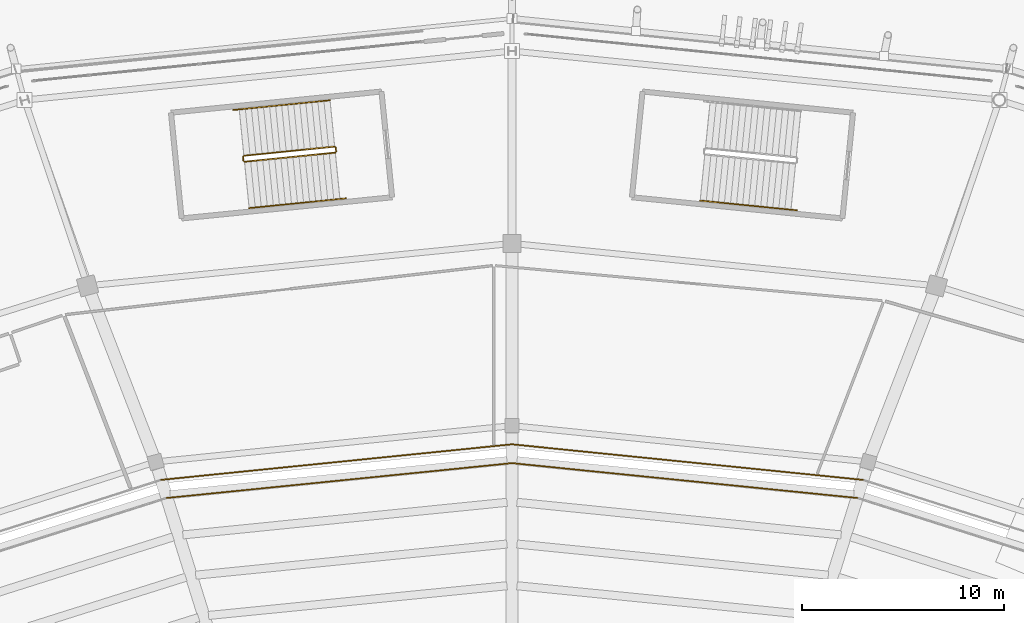
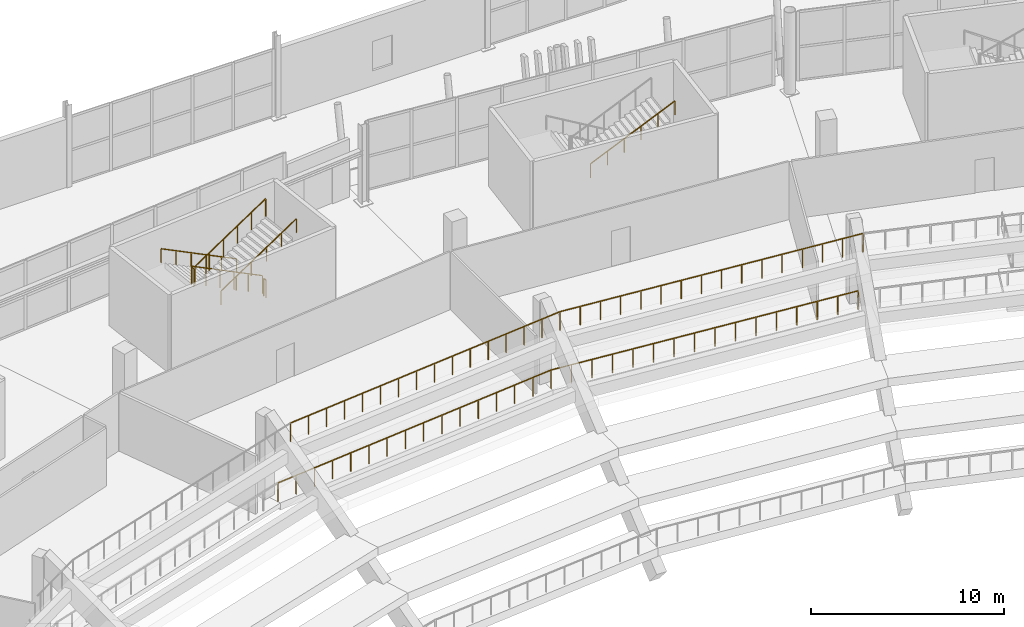
# One storey, part 174 of 178: 11 railings.
"""IFC4 building model written with IfcOpenShell, lengths in metres."""

from ifc_helpers import new_model, si_unit, direction, frame, origin, origin_2d, place, context, subcontext, project, spatial, rectangle, extrude, material, type_object, element, save


model = new_model("IFC4")

# Units and contexts
model_context = context("Model", 3, precision=1e-05, world=origin(), true_north=direction((0.0, 1.0)))
body_context = subcontext(model_context, "Body", "Model", "MODEL_VIEW")
ifc_project = project(units=[si_unit("LENGTHUNIT", "METRE"), si_unit("AREAUNIT", "SQUARE_METRE"), si_unit("VOLUMEUNIT", "CUBIC_METRE"), si_unit("PLANEANGLEUNIT", "RADIAN"), si_unit("MASSUNIT", "GRAM", prefix="KILO")], contexts=[model_context])

# Site, building, storey
site_placement = place(None, origin())
site = spatial("IfcSite", under=ifc_project, at=site_placement, CompositionType="ELEMENT")
building_placement = place(site_placement, origin())
building = spatial("IfcBuilding", under=site, at=building_placement, Name="Zlatoyarsky Gate Stadium", CompositionType="ELEMENT")
storey_placement = place(building_placement, frame((0.0, 0.0, 5.39990234375)))
storey = spatial("IfcBuildingStorey", under=building, at=storey_placement, Name="L01", CompositionType="ELEMENT", Elevation=5.39990234375)

# Railings
ifc_material_1 = material(Name="Powder-coated steel tubular guardrail", Category="steel")
railing_type_1 = type_object("IfcRailingType", Name="CONCOURSE SLAB EDGE GUARDRAIL 1200", PredefinedType="GUARDRAIL", material=ifc_material_1)
railing_1_placement = place(storey_placement, frame((128.094970703125, 128.924072265625, 4.25)))
element("IfcRailing", 1, at=railing_1_placement, inside=storey, type_object=railing_type_1, Name="Lower bowl back guardrail 05", PredefinedType="GUARDRAIL", context=body_context, shape_type="SweptSolid", body=[
    extrude(rectangle(XDim=0.048095703125, YDim=0.048095703125, at=origin_2d()), frame((0.0, 0.0, 1.17578125), z_axis=(-0.994942626701, 0.100444858373, 0.0), x_axis=(-0.100444858373, -0.994942626701, 0.0)), (0.0, 0.0, 1.0), 17.181884765625),
    extrude(rectangle(XDim=0.0419921875, YDim=0.0419921875, at=origin_2d()), origin(), (0.0, 0.0, 1.0), 1.15185546875),
    extrude(rectangle(XDim=0.0419921875, YDim=0.0419921875, at=origin_2d()), frame((-1.1396484375, 0.114990234375, 0.0)), (0.0, 0.0, 1.0), 1.15185546875),
    extrude(rectangle(XDim=0.0419921875, YDim=0.0419921875, at=origin_2d()), frame((-2.279296875, 0.230224609375, 0.0)), (0.0, 0.0, 1.0), 1.15185546875),
    extrude(rectangle(XDim=0.0419921875, YDim=0.0419921875, at=origin_2d()), frame((-3.4189453125, 0.34521484375, 0.0)), (0.0, 0.0, 1.0), 1.15185546875),
    extrude(rectangle(XDim=0.0419921875, YDim=0.0419921875, at=origin_2d()), frame((-4.55859375, 0.460205078125, 0.0)), (0.0, 0.0, 1.0), 1.15185546875),
    extrude(rectangle(XDim=0.0419921875, YDim=0.0419921875, at=origin_2d()), frame((-5.6982421875, 0.5751953125, 0.0)), (0.0, 0.0, 1.0), 1.15185546875),
    extrude(rectangle(XDim=0.0419921875, YDim=0.0419921875, at=origin_2d()), frame((-6.837890625, 0.6904296875, 0.0)), (0.0, 0.0, 1.0), 1.15185546875),
    extrude(rectangle(XDim=0.0419921875, YDim=0.0419921875, at=origin_2d()), frame((-7.9775390625, 0.805419921875, 0.0)), (0.0, 0.0, 1.0), 1.15185546875),
    extrude(rectangle(XDim=0.0419921875, YDim=0.0419921875, at=origin_2d()), frame((-9.117431640625, 0.92041015625, 0.0)), (0.0, 0.0, 1.0), 1.15185546875),
    extrude(rectangle(XDim=0.0419921875, YDim=0.0419921875, at=origin_2d()), frame((-10.257080078125, 1.035400390625, 0.0)), (0.0, 0.0, 1.0), 1.15185546875),
    extrude(rectangle(XDim=0.0419921875, YDim=0.0419921875, at=origin_2d()), frame((-11.396728515625, 1.150634765625, 0.0)), (0.0, 0.0, 1.0), 1.15185546875),
    extrude(rectangle(XDim=0.0419921875, YDim=0.0419921875, at=origin_2d()), frame((-12.536376953125, 1.265625, 0.0)), (0.0, 0.0, 1.0), 1.15185546875),
    extrude(rectangle(XDim=0.0419921875, YDim=0.0419921875, at=origin_2d()), frame((-13.676025390625, 1.380615234375, 0.0)), (0.0, 0.0, 1.0), 1.15185546875),
    extrude(rectangle(XDim=0.0419921875, YDim=0.0419921875, at=origin_2d()), frame((-14.815673828125, 1.49560546875, 0.0)), (0.0, 0.0, 1.0), 1.15185546875),
    extrude(rectangle(XDim=0.0419921875, YDim=0.0419921875, at=origin_2d()), frame((-15.955322265625, 1.61083984375, 0.0)), (0.0, 0.0, 1.0), 1.15185546875),
    extrude(rectangle(XDim=0.0419921875, YDim=0.0419921875, at=origin_2d()), frame((-17.094970703125, 1.725830078125, 0.0)), (0.0, 0.0, 1.0), 1.15185546875),
])
railing_2_placement = place(storey_placement, frame((128.335693359375, 129.822509765625, 0.0)))
element("IfcRailing", 2, at=railing_2_placement, inside=storey, type_object=railing_type_1, Name="L01 inner bowl edge guardrail 05", PredefinedType="GUARDRAIL", context=body_context, shape_type="SweptSolid", body=[
    extrude(rectangle(XDim=0.048095703125, YDim=0.048095703125, at=origin_2d()), frame((0.0, 0.0, 1.17578125), z_axis=(-0.994899888432, 0.100867298954, 0.0), x_axis=(-0.100867298954, -0.994899888432, 0.0)), (0.0, 0.0, 1.0), 17.424560546875),
    extrude(rectangle(XDim=0.0419921875, YDim=0.0419921875, at=origin_2d()), origin(), (0.0, 0.0, 1.0), 1.15185546875),
    extrude(rectangle(XDim=0.0419921875, YDim=0.0419921875, at=origin_2d()), frame((-1.15576171875, 0.1171875, 0.0)), (0.0, 0.0, 1.0), 1.15185546875),
    extrude(rectangle(XDim=0.0419921875, YDim=0.0419921875, at=origin_2d()), frame((-2.3115234375, 0.234375, 0.0)), (0.0, 0.0, 1.0), 1.15185546875),
    extrude(rectangle(XDim=0.0419921875, YDim=0.0419921875, at=origin_2d()), frame((-3.467041015625, 0.3515625, 0.0)), (0.0, 0.0, 1.0), 1.15185546875),
    extrude(rectangle(XDim=0.0419921875, YDim=0.0419921875, at=origin_2d()), frame((-4.622802734375, 0.46875, 0.0)), (0.0, 0.0, 1.0), 1.15185546875),
    extrude(rectangle(XDim=0.0419921875, YDim=0.0419921875, at=origin_2d()), frame((-5.778564453125, 0.5859375, 0.0)), (0.0, 0.0, 1.0), 1.15185546875),
    extrude(rectangle(XDim=0.0419921875, YDim=0.0419921875, at=origin_2d()), frame((-6.934326171875, 0.703125, 0.0)), (0.0, 0.0, 1.0), 1.15185546875),
    extrude(rectangle(XDim=0.0419921875, YDim=0.0419921875, at=origin_2d()), frame((-8.090087890625, 0.8203125, 0.0)), (0.0, 0.0, 1.0), 1.15185546875),
    extrude(rectangle(XDim=0.0419921875, YDim=0.0419921875, at=origin_2d()), frame((-9.24560546875, 0.937255859375, 0.0)), (0.0, 0.0, 1.0), 1.15185546875),
    extrude(rectangle(XDim=0.0419921875, YDim=0.0419921875, at=origin_2d()), frame((-10.4013671875, 1.054443359375, 0.0)), (0.0, 0.0, 1.0), 1.15185546875),
    extrude(rectangle(XDim=0.0419921875, YDim=0.0419921875, at=origin_2d()), frame((-11.55712890625, 1.171630859375, 0.0)), (0.0, 0.0, 1.0), 1.15185546875),
    extrude(rectangle(XDim=0.0419921875, YDim=0.0419921875, at=origin_2d()), frame((-12.712890625, 1.288818359375, 0.0)), (0.0, 0.0, 1.0), 1.15185546875),
    extrude(rectangle(XDim=0.0419921875, YDim=0.0419921875, at=origin_2d()), frame((-13.86865234375, 1.406005859375, 0.0)), (0.0, 0.0, 1.0), 1.15185546875),
    extrude(rectangle(XDim=0.0419921875, YDim=0.0419921875, at=origin_2d()), frame((-15.024169921875, 1.523193359375, 0.0)), (0.0, 0.0, 1.0), 1.15185546875),
    extrude(rectangle(XDim=0.0419921875, YDim=0.0419921875, at=origin_2d()), frame((-16.179931640625, 1.640380859375, 0.0)), (0.0, 0.0, 1.0), 1.15185546875),
    extrude(rectangle(XDim=0.0419921875, YDim=0.0419921875, at=origin_2d()), frame((-17.335693359375, 1.757568359375, 0.0)), (0.0, 0.0, 1.0), 1.15185546875),
])
railing_3_placement = place(storey_placement, frame((111.0, 130.64990234375, 4.25)))
element("IfcRailing", 3, at=railing_3_placement, inside=storey, type_object=railing_type_1, Name="Lower bowl back guardrail 06", PredefinedType="GUARDRAIL", context=body_context, shape_type="SweptSolid", body=[
    extrude(rectangle(XDim=0.048095703125, YDim=0.048095703125, at=origin_2d()), frame((0.0, 0.0, 1.17578125), z_axis=(-0.994942626701, -0.100444858373, 0.0), x_axis=(0.100444858373, -0.994942626701, 0.0)), (0.0, 0.0, 1.0), 17.181884765625),
    extrude(rectangle(XDim=0.0419921875, YDim=0.0419921875, at=origin_2d()), origin(), (0.0, 0.0, 1.0), 1.15185546875),
    extrude(rectangle(XDim=0.0419921875, YDim=0.0419921875, at=origin_2d()), frame((-1.1396484375, -0.114990234375, 0.0)), (0.0, 0.0, 1.0), 1.15185546875),
    extrude(rectangle(XDim=0.0419921875, YDim=0.0419921875, at=origin_2d()), frame((-2.279296875, -0.230224609375, 0.0)), (0.0, 0.0, 1.0), 1.15185546875),
    extrude(rectangle(XDim=0.0419921875, YDim=0.0419921875, at=origin_2d()), frame((-3.4189453125, -0.34521484375, 0.0)), (0.0, 0.0, 1.0), 1.15185546875),
    extrude(rectangle(XDim=0.0419921875, YDim=0.0419921875, at=origin_2d()), frame((-4.55859375, -0.460205078125, 0.0)), (0.0, 0.0, 1.0), 1.15185546875),
    extrude(rectangle(XDim=0.0419921875, YDim=0.0419921875, at=origin_2d()), frame((-5.6982421875, -0.5751953125, 0.0)), (0.0, 0.0, 1.0), 1.15185546875),
    extrude(rectangle(XDim=0.0419921875, YDim=0.0419921875, at=origin_2d()), frame((-6.837890625, -0.6904296875, 0.0)), (0.0, 0.0, 1.0), 1.15185546875),
    extrude(rectangle(XDim=0.0419921875, YDim=0.0419921875, at=origin_2d()), frame((-7.9775390625, -0.805419921875, 0.0)), (0.0, 0.0, 1.0), 1.15185546875),
    extrude(rectangle(XDim=0.0419921875, YDim=0.0419921875, at=origin_2d()), frame((-9.117431640625, -0.92041015625, 0.0)), (0.0, 0.0, 1.0), 1.15185546875),
    extrude(rectangle(XDim=0.0419921875, YDim=0.0419921875, at=origin_2d()), frame((-10.257080078125, -1.035400390625, 0.0)), (0.0, 0.0, 1.0), 1.15185546875),
    extrude(rectangle(XDim=0.0419921875, YDim=0.0419921875, at=origin_2d()), frame((-11.396728515625, -1.150634765625, 0.0)), (0.0, 0.0, 1.0), 1.15185546875),
    extrude(rectangle(XDim=0.0419921875, YDim=0.0419921875, at=origin_2d()), frame((-12.536376953125, -1.265625, 0.0)), (0.0, 0.0, 1.0), 1.15185546875),
    extrude(rectangle(XDim=0.0419921875, YDim=0.0419921875, at=origin_2d()), frame((-13.676025390625, -1.380615234375, 0.0)), (0.0, 0.0, 1.0), 1.15185546875),
    extrude(rectangle(XDim=0.0419921875, YDim=0.0419921875, at=origin_2d()), frame((-14.815673828125, -1.49560546875, 0.0)), (0.0, 0.0, 1.0), 1.15185546875),
    extrude(rectangle(XDim=0.0419921875, YDim=0.0419921875, at=origin_2d()), frame((-15.955322265625, -1.61083984375, 0.0)), (0.0, 0.0, 1.0), 1.15185546875),
    extrude(rectangle(XDim=0.0419921875, YDim=0.0419921875, at=origin_2d()), frame((-17.094970703125, -1.725830078125, 0.0)), (0.0, 0.0, 1.0), 1.15185546875),
])
railing_4_placement = place(storey_placement, frame((111.0, 131.580078125, 0.0)))
element("IfcRailing", 4, at=railing_4_placement, inside=storey, type_object=railing_type_1, Name="L01 inner bowl edge guardrail 06", PredefinedType="GUARDRAIL", context=body_context, shape_type="SweptSolid", body=[
    extrude(rectangle(XDim=0.048095703125, YDim=0.048095703125, at=origin_2d()), frame((0.0, 0.0, 1.17578125), z_axis=(-0.994899888432, -0.100867298954, 0.0), x_axis=(0.100867298954, -0.994899888432, 0.0)), (0.0, 0.0, 1.0), 17.424560546875),
    extrude(rectangle(XDim=0.0419921875, YDim=0.0419921875, at=origin_2d()), origin(), (0.0, 0.0, 1.0), 1.15185546875),
    extrude(rectangle(XDim=0.0419921875, YDim=0.0419921875, at=origin_2d()), frame((-1.15576171875, -0.1171875, 0.0)), (0.0, 0.0, 1.0), 1.15185546875),
    extrude(rectangle(XDim=0.0419921875, YDim=0.0419921875, at=origin_2d()), frame((-2.3115234375, -0.234375, 0.0)), (0.0, 0.0, 1.0), 1.15185546875),
    extrude(rectangle(XDim=0.0419921875, YDim=0.0419921875, at=origin_2d()), frame((-3.467041015625, -0.3515625, 0.0)), (0.0, 0.0, 1.0), 1.15185546875),
    extrude(rectangle(XDim=0.0419921875, YDim=0.0419921875, at=origin_2d()), frame((-4.622802734375, -0.46875, 0.0)), (0.0, 0.0, 1.0), 1.15185546875),
    extrude(rectangle(XDim=0.0419921875, YDim=0.0419921875, at=origin_2d()), frame((-5.778564453125, -0.5859375, 0.0)), (0.0, 0.0, 1.0), 1.15185546875),
    extrude(rectangle(XDim=0.0419921875, YDim=0.0419921875, at=origin_2d()), frame((-6.934326171875, -0.703125, 0.0)), (0.0, 0.0, 1.0), 1.15185546875),
    extrude(rectangle(XDim=0.0419921875, YDim=0.0419921875, at=origin_2d()), frame((-8.090087890625, -0.8203125, 0.0)), (0.0, 0.0, 1.0), 1.15185546875),
    extrude(rectangle(XDim=0.0419921875, YDim=0.0419921875, at=origin_2d()), frame((-9.24560546875, -0.937255859375, 0.0)), (0.0, 0.0, 1.0), 1.15185546875),
    extrude(rectangle(XDim=0.0419921875, YDim=0.0419921875, at=origin_2d()), frame((-10.4013671875, -1.054443359375, 0.0)), (0.0, 0.0, 1.0), 1.15185546875),
    extrude(rectangle(XDim=0.0419921875, YDim=0.0419921875, at=origin_2d()), frame((-11.55712890625, -1.171630859375, 0.0)), (0.0, 0.0, 1.0), 1.15185546875),
    extrude(rectangle(XDim=0.0419921875, YDim=0.0419921875, at=origin_2d()), frame((-12.712890625, -1.288818359375, 0.0)), (0.0, 0.0, 1.0), 1.15185546875),
    extrude(rectangle(XDim=0.0419921875, YDim=0.0419921875, at=origin_2d()), frame((-13.86865234375, -1.406005859375, 0.0)), (0.0, 0.0, 1.0), 1.15185546875),
    extrude(rectangle(XDim=0.0419921875, YDim=0.0419921875, at=origin_2d()), frame((-15.024169921875, -1.523193359375, 0.0)), (0.0, 0.0, 1.0), 1.15185546875),
    extrude(rectangle(XDim=0.0419921875, YDim=0.0419921875, at=origin_2d()), frame((-16.179931640625, -1.640380859375, 0.0)), (0.0, 0.0, 1.0), 1.15185546875),
    extrude(rectangle(XDim=0.0419921875, YDim=0.0419921875, at=origin_2d()), frame((-17.335693359375, -1.757568359375, 0.0)), (0.0, 0.0, 1.0), 1.15185546875),
])
ifc_material_2 = material(Name="Powder-coated steel stair guardrail", Category="steel")
railing_type_2 = type_object("IfcRailingType", Name="PAINTED STEEL STAIR WELL GUARDRAIL 1150", PredefinedType="GUARDRAIL", material=ifc_material_2)
railing_5_placement = place(storey_placement, frame((102.239013671875, 146.282470703125, 0.16259765625)))
element("IfcRailing", 5, at=railing_5_placement, inside=storey, type_object=railing_type_2, Name="ST-04 L01 stair guard 1", PredefinedType="GUARDRAIL", context=body_context, shape_type="SweptSolid", body=[
    extrude(rectangle(XDim=0.048095703125, YDim=0.048095703125, at=origin_2d()), frame((0.0, 0.0, 1.1259765625), z_axis=(-0.874889575762, -0.087918292701, 0.47627576469), x_axis=(0.099987144365, -0.994988729063, 0.0)), (0.0, 0.0, 1.0), 5.117919921875),
    extrude(rectangle(XDim=0.0419921875, YDim=0.0419921875, at=origin_2d()), origin(), (0.0, 0.0, 1.0), 1.101806640625),
    extrude(rectangle(XDim=0.0419921875, YDim=0.0419921875, at=origin_2d()), frame((-0.8955078125, -0.090087890625, 0.487548828125)), (0.0, 0.0, 1.0), 1.101806640625),
    extrude(rectangle(XDim=0.0419921875, YDim=0.0419921875, at=origin_2d()), frame((-1.791015625, -0.179931640625, 0.97509765625)), (0.0, 0.0, 1.0), 1.101806640625),
    extrude(rectangle(XDim=0.0419921875, YDim=0.0419921875, at=origin_2d()), frame((-2.6865234375, -0.27001953125, 1.46240234375)), (0.0, 0.0, 1.0), 1.101806640625),
    extrude(rectangle(XDim=0.0419921875, YDim=0.0419921875, at=origin_2d()), frame((-3.58203125, -0.35986328125, 1.949951171875)), (0.0, 0.0, 1.0), 1.101806640625),
    extrude(rectangle(XDim=0.0419921875, YDim=0.0419921875, at=origin_2d()), frame((-4.4775390625, -0.449951171875, 2.4375)), (0.0, 0.0, 1.0), 1.101806640625),
])
railing_6_placement = place(storey_placement, frame((97.716796875, 145.77783203125, 2.60009765625)))
element("IfcRailing", 6, at=railing_6_placement, inside=storey, type_object=railing_type_2, Name="ST-04 L01 stair guard 2", PredefinedType="GUARDRAIL", context=body_context, shape_type="SweptSolid", body=[
    extrude(rectangle(XDim=0.048095703125, YDim=0.048095703125, at=origin_2d()), frame((0.0, 0.0, 1.1259765625), z_axis=(0.100108072026, -0.994976569531, 0.0), x_axis=(0.994976569531, 0.100108072026, 0.0)), (0.0, 0.0, 1.0), 0.199951171875),
    extrude(rectangle(XDim=0.0419921875, YDim=0.0419921875, at=origin_2d()), origin(), (0.0, 0.0, 1.0), 1.101806640625),
    extrude(rectangle(XDim=0.0419921875, YDim=0.0419921875, at=origin_2d()), frame((0.02001953125, -0.198974609375, 0.0)), (0.0, 0.0, 1.0), 1.101806640625),
])
railing_7_placement = place(storey_placement, frame((97.79150390625, 145.533935546875, 2.7626953125)))
element("IfcRailing", 7, at=railing_7_placement, inside=storey, type_object=railing_type_2, Name="ST-04 L01 stair guard 3", PredefinedType="GUARDRAIL", context=body_context, shape_type="SweptSolid", body=[
    extrude(rectangle(XDim=0.048095703125, YDim=0.048095703125, at=origin_2d()), frame((0.0, 0.0, 1.1259765625), z_axis=(0.874874714683, 0.087969298974, 0.476293644768), x_axis=(-0.100046254416, 0.994982787277, 0.0)), (0.0, 0.0, 1.0), 5.11767578125),
    extrude(rectangle(XDim=0.0419921875, YDim=0.0419921875, at=origin_2d()), origin(), (0.0, 0.0, 1.0), 1.101806640625),
    extrude(rectangle(XDim=0.0419921875, YDim=0.0419921875, at=origin_2d()), frame((0.8955078125, 0.090087890625, 0.487548828125)), (0.0, 0.0, 1.0), 1.101806640625),
    extrude(rectangle(XDim=0.0419921875, YDim=0.0419921875, at=origin_2d()), frame((1.791015625, 0.18017578125, 0.97509765625)), (0.0, 0.0, 1.0), 1.101806640625),
    extrude(rectangle(XDim=0.0419921875, YDim=0.0419921875, at=origin_2d()), frame((2.686279296875, 0.27001953125, 1.46240234375)), (0.0, 0.0, 1.0), 1.101806640625),
    extrude(rectangle(XDim=0.0419921875, YDim=0.0419921875, at=origin_2d()), frame((3.581787109375, 0.360107421875, 1.949951171875)), (0.0, 0.0, 1.0), 1.101806640625),
    extrude(rectangle(XDim=0.0419921875, YDim=0.0419921875, at=origin_2d()), frame((4.477294921875, 0.4501953125, 2.4375)), (0.0, 0.0, 1.0), 1.101806640625),
])
railing_8_placement = place(storey_placement, frame((102.293701171875, 146.23779296875, 0.0)))
element("IfcRailing", 8, at=railing_8_placement, inside=storey, type_object=railing_type_2, Name="ST-04 L01 stair guard 4", PredefinedType="GUARDRAIL", context=body_context, shape_type="SweptSolid", body=[
    extrude(rectangle(XDim=0.048095703125, YDim=0.048095703125, at=origin_2d()), frame((0.0, 0.0, 1.1259765625), z_axis=(0.100108072026, -0.994976569531, 0.0), x_axis=(0.994976569531, 0.100108072026, 0.0)), (0.0, 0.0, 1.0), 0.199951171875),
    extrude(rectangle(XDim=0.0419921875, YDim=0.0419921875, at=origin_2d()), origin(), (0.0, 0.0, 1.0), 1.101806640625),
    extrude(rectangle(XDim=0.0419921875, YDim=0.0419921875, at=origin_2d()), frame((0.02001953125, -0.198974609375, 0.0)), (0.0, 0.0, 1.0), 1.101806640625),
])
ifc_material_3 = material(Name="Brushed stainless steel 316 handrail", Category="steel")
railing_type_3 = type_object("IfcRailingType", Name="STAINLESS STEEL TUBULAR HANDRAIL 900", PredefinedType="HANDRAIL", material=ifc_material_3)
railing_9_placement = place(storey_placement, frame((102.0087890625, 148.571044921875, 0.16650390625)))
element("IfcRailing", 9, at=railing_9_placement, inside=storey, type_object=railing_type_3, Name="ST-04 L01 stair handrail 1", PredefinedType="HANDRAIL", context=body_context, shape_type="SweptSolid", body=[
    extrude(rectangle(XDim=0.048095703125, YDim=0.048095703125, at=origin_2d()), frame((0.0, 0.0, 0.8759765625), z_axis=(-0.874874668659, -0.08792575394, 0.47630176982), x_axis=(0.099997231792, -0.994987715318, 0.0)), (0.0, 0.0, 1.0), 5.458984375),
    extrude(rectangle(XDim=0.0419921875, YDim=0.0419921875, at=origin_2d()), origin(), (0.0, 0.0, 1.0), 0.851806640625),
    extrude(rectangle(XDim=0.0419921875, YDim=0.0419921875, at=origin_2d()), frame((-0.955078125, -0.095947265625, 0.52001953125)), (0.0, 0.0, 1.0), 0.851806640625),
    extrude(rectangle(XDim=0.0419921875, YDim=0.0419921875, at=origin_2d()), frame((-1.910400390625, -0.19189453125, 1.0400390625)), (0.0, 0.0, 1.0), 0.851806640625),
    extrude(rectangle(XDim=0.0419921875, YDim=0.0419921875, at=origin_2d()), frame((-2.865478515625, -0.2880859375, 1.56005859375)), (0.0, 0.0, 1.0), 0.851806640625),
    extrude(rectangle(XDim=0.0419921875, YDim=0.0419921875, at=origin_2d()), frame((-3.82080078125, -0.384033203125, 2.080078125)), (0.0, 0.0, 1.0), 0.851806640625),
    extrude(rectangle(XDim=0.0419921875, YDim=0.0419921875, at=origin_2d()), frame((-4.77587890625, -0.47998046875, 2.60009765625)), (0.0, 0.0, 1.0), 0.851806640625),
])
railing_10_placement = place(storey_placement, frame((98.021484375, 143.24560546875, 2.7666015625)))
element("IfcRailing", 10, at=railing_10_placement, inside=storey, type_object=railing_type_3, Name="ST-04 L01 stair handrail 2", PredefinedType="HANDRAIL", context=body_context, shape_type="SweptSolid", body=[
    extrude(rectangle(XDim=0.048095703125, YDim=0.048095703125, at=origin_2d()), frame((0.0, 0.0, 0.8759765625), z_axis=(0.874874668659, 0.08792575394, 0.47630176982), x_axis=(-0.099997231792, 0.994987715318, 0.0)), (0.0, 0.0, 1.0), 5.458984375),
    extrude(rectangle(XDim=0.0419921875, YDim=0.0419921875, at=origin_2d()), origin(), (0.0, 0.0, 1.0), 0.851806640625),
    extrude(rectangle(XDim=0.0419921875, YDim=0.0419921875, at=origin_2d()), frame((0.955078125, 0.095947265625, 0.52001953125)), (0.0, 0.0, 1.0), 0.851806640625),
    extrude(rectangle(XDim=0.0419921875, YDim=0.0419921875, at=origin_2d()), frame((1.910400390625, 0.19189453125, 1.0400390625)), (0.0, 0.0, 1.0), 0.851806640625),
    extrude(rectangle(XDim=0.0419921875, YDim=0.0419921875, at=origin_2d()), frame((2.865478515625, 0.2880859375, 1.56005859375)), (0.0, 0.0, 1.0), 0.851806640625),
    extrude(rectangle(XDim=0.0419921875, YDim=0.0419921875, at=origin_2d()), frame((3.82080078125, 0.384033203125, 2.080078125)), (0.0, 0.0, 1.0), 0.851806640625),
    extrude(rectangle(XDim=0.0419921875, YDim=0.0419921875, at=origin_2d()), frame((4.77587890625, 0.47998046875, 2.60009765625)), (0.0, 0.0, 1.0), 0.851806640625),
])
railing_11_placement = place(storey_placement, frame((120.297119140625, 143.61572265625, 2.7666015625)))
element("IfcRailing", 11, at=railing_11_placement, inside=storey, type_object=railing_type_3, Name="ST-17 L01 stair handrail 2", PredefinedType="HANDRAIL", context=body_context, shape_type="SweptSolid", body=[
    extrude(rectangle(XDim=0.048095703125, YDim=0.048095703125, at=origin_2d()), frame((0.0, 0.0, 0.8759765625), z_axis=(0.874874668659, -0.08792575394, 0.47630176982), x_axis=(0.099997231792, 0.994987715318, 0.0)), (0.0, 0.0, 1.0), 5.458984375),
    extrude(rectangle(XDim=0.0419921875, YDim=0.0419921875, at=origin_2d()), origin(), (0.0, 0.0, 1.0), 0.851806640625),
    extrude(rectangle(XDim=0.0419921875, YDim=0.0419921875, at=origin_2d()), frame((0.955078125, -0.095947265625, 0.52001953125)), (0.0, 0.0, 1.0), 0.851806640625),
    extrude(rectangle(XDim=0.0419921875, YDim=0.0419921875, at=origin_2d()), frame((1.910400390625, -0.19189453125, 1.0400390625)), (0.0, 0.0, 1.0), 0.851806640625),
    extrude(rectangle(XDim=0.0419921875, YDim=0.0419921875, at=origin_2d()), frame((2.865478515625, -0.2880859375, 1.56005859375)), (0.0, 0.0, 1.0), 0.851806640625),
    extrude(rectangle(XDim=0.0419921875, YDim=0.0419921875, at=origin_2d()), frame((3.82080078125, -0.384033203125, 2.080078125)), (0.0, 0.0, 1.0), 0.851806640625),
    extrude(rectangle(XDim=0.0419921875, YDim=0.0419921875, at=origin_2d()), frame((4.77587890625, -0.47998046875, 2.60009765625)), (0.0, 0.0, 1.0), 0.851806640625),
])

save(model, "model.ifc")
